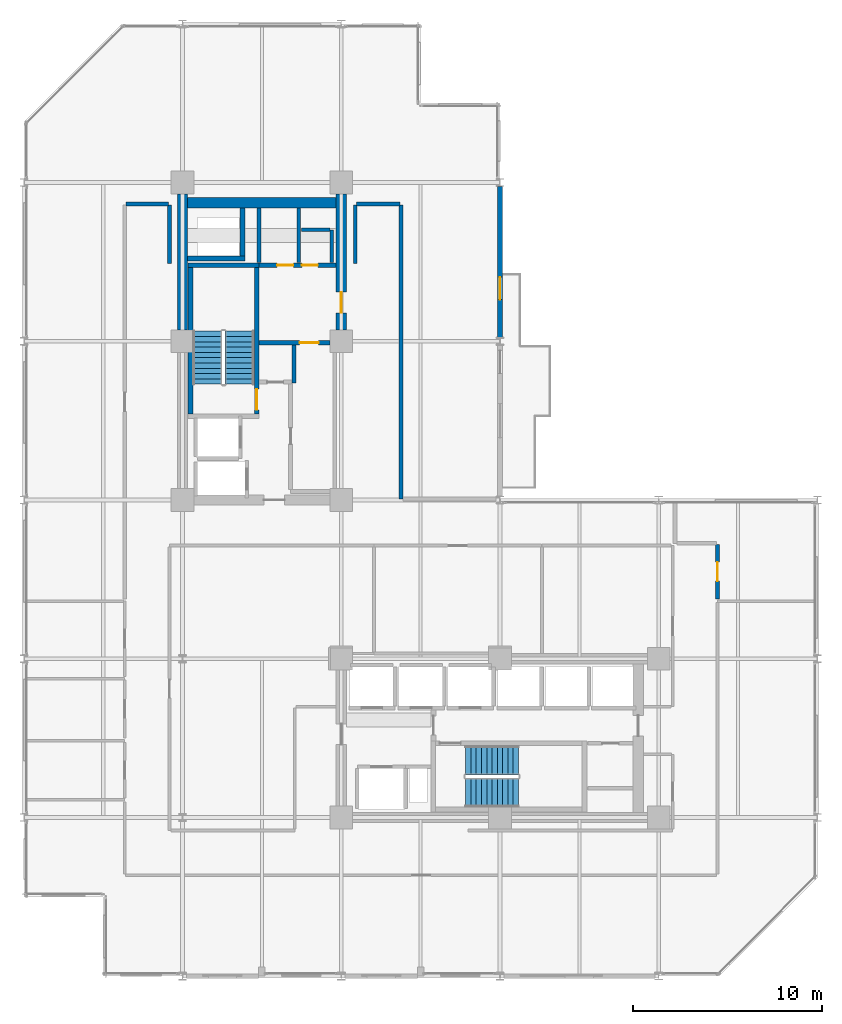
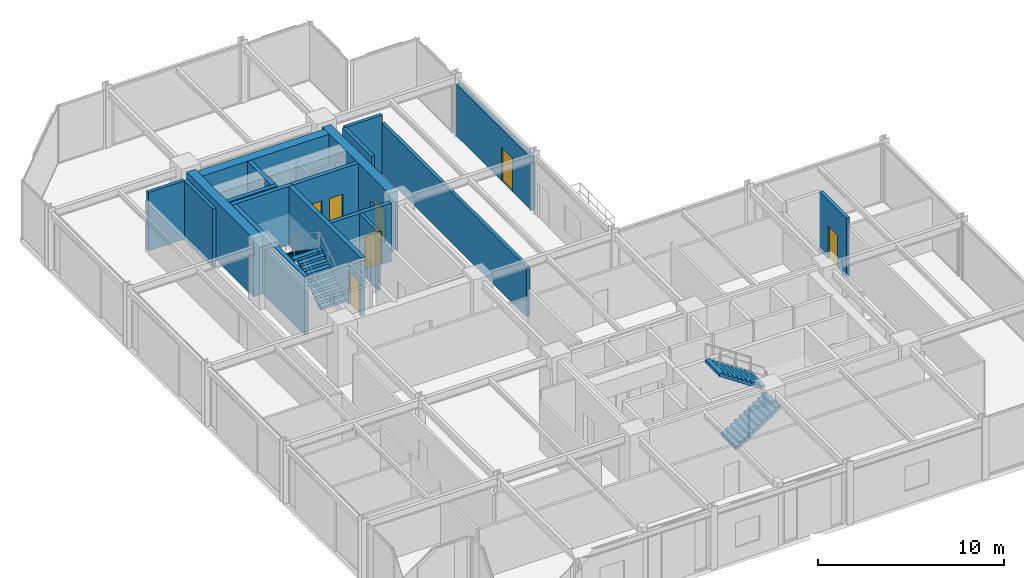
# One storey, part 26 of 29: 22 walls, 7 doors, 4 stair flights, 7 openings, 2 elements without a shape of their own.
"""IFC4 building model written with IfcOpenShell, lengths in metres."""

from ifc_helpers import new_model, si_unit, direction, frame, frame_2d, origin, place, context, subcontext, project, spatial, polyline, rectangle, outline, extrude, material, layer, layer_set, type_object, element, fill, aggregate, save


model = new_model("IFC4")

# Units and contexts
model_context = context("Model", 3, precision=1e-05, world=origin(), true_north=direction((0.0, 1.0)))
body_context = subcontext(model_context, "Body", "Model", "MODEL_VIEW")
ifc_project = project(units=[si_unit("LENGTHUNIT", "METRE"), si_unit("AREAUNIT", "SQUARE_METRE"), si_unit("VOLUMEUNIT", "CUBIC_METRE"), si_unit("PLANEANGLEUNIT", "RADIAN"), si_unit("MASSUNIT", "GRAM", prefix="KILO")], contexts=[model_context])

# Site, building, storey
site_placement = place(None, origin())
site = spatial("IfcSite", under=ifc_project, at=site_placement, CompositionType="ELEMENT")
building_placement = place(site_placement, origin())
building = spatial("IfcBuilding", under=site, at=building_placement, Name="Nerrivon Quay Data Exchange", CompositionType="ELEMENT")
storey_placement = place(building_placement, frame((0.0, 0.0, 150.0)))
storey = spatial("IfcBuildingStorey", under=building, at=storey_placement, Name="L35", CompositionType="ELEMENT", Elevation=150.0)

# Wall, opening, door
ifc_material_1 = material(Name="Architectural terracotta precast concrete N50 (50 MPa)", Category="masonry")
ifc_layer_1 = layer(ifc_material_1, 0.239990234375)
ifc_layer_set_1 = layer_set([ifc_layer_1], Name="Architectural terracotta precast concrete N50 (50 MPa)")
wall_type_1 = type_object("IfcWallType", Name="EW-PREC-240", PredefinedType="STANDARD", material=ifc_layer_set_1)
wall_1_placement = place(storey_placement, frame((25.199951171875, 41.800048828125, 0.0), z_axis=(0.0, 0.0, 1.0), x_axis=(0.0, -1.0, 0.0)))
wall_1 = element("IfcWall", 1, at=wall_1_placement, inside=storey, type_object=wall_type_1, Name="L35 Terrace Host Wall 24", PredefinedType="STANDARD", context=body_context, shape_type="SweptSolid", body=[
    extrude(rectangle(XDim=8.0, YDim=0.239990234375, at=frame_2d((4.0, 0.0))), origin(), (0.0, 0.0, 1.0), 3.422119140625),
])
opening_1_placement = place(wall_1_placement, frame((4.800048828125, 0.0, 0.0)))
opening_1 = element("IfcOpeningElement", 2, at=opening_1_placement, cuts=wall_1, Name="Opening TD1", PredefinedType="OPENING", context=body_context, shape_type="SweptSolid", body=[
    extrude(rectangle(XDim=1.199951171875, YDim=2.199951171875, at=frame_2d((0.60009765625, 1.10009765625))), frame((0.0, 0.1298828125, 0.0), z_axis=(0.0, -1.0, 0.0), x_axis=(1.0, 0.0, 0.0)), (0.0, 0.0, 1.0), 0.260009765625),
])
ifc_material_2 = material(Name="Double-glazed low-E solar control glass", Category="glass")
door_type_1 = type_object("IfcDoorType", Name="DR-TERR-1200x2200", OperationType="NOTDEFINED", PredefinedType="DOOR", material=ifc_material_2)
door_1_placement = place(opening_1_placement, origin())
door_1 = element("IfcDoor", 3, at=door_1_placement, inside=storey, type_object=door_type_1, Name="L35 Outdoor Terrace Access Door 24", OperationType="SINGLE_SWING_LEFT", OverallHeight=2.199951171875, OverallWidth=1.199951171875, PredefinedType="DOOR", context=body_context, shape_type="SweptSolid", body=[
    extrude(rectangle(XDim=1.199951171875, YDim=2.199951171875, at=frame_2d((0.60009765625, 1.10009765625))), frame((0.0, 0.02490234375, 0.0), z_axis=(0.0, -1.0, 0.0), x_axis=(1.0, 0.0, 0.0)), (0.0, 0.0, 1.0), 0.050048828125),
])
fill(opening_1, door_1)

# Walls
ifc_material_3 = material(Name="Concrete S65 (65 MPa)", Category="concrete")
ifc_layer_2 = layer(ifc_material_3, 0.550048828125)
ifc_layer_set_2 = layer_set([ifc_layer_2], Name="Concrete S65 (65 MPa)")
wall_type_2 = type_object("IfcWallType", Name="WALL-CW-700", PredefinedType="SHEAR", material=ifc_layer_set_2)
wall_2_placement = place(storey_placement, frame((8.39990234375, 34.199951171875, 0.0), z_axis=(0.0, 0.0, 1.0), x_axis=(0.0, 1.0, 0.0)))
element("IfcWall", 4, at=wall_2_placement, inside=storey, type_object=wall_type_2, Name="L35 West Split-Core Shear Wall WCW-W2", PredefinedType="SHEAR", context=body_context, shape_type="SweptSolid", body=[
    extrude(rectangle(XDim=7.199951171875, YDim=0.550048828125, at=frame_2d((3.60009765625, 0.0))), origin(), (0.0, 0.0, 1.0), 3.824951171875),
])
wall_3_placement = place(storey_placement, frame((8.675048828125, 40.925048828125, 0.0), z_axis=(0.0, 0.0, 1.0), x_axis=(1.0, 0.0, 0.0)))
element("IfcWall", 5, at=wall_3_placement, inside=storey, type_object=wall_type_2, Name="L35 West Split-Core Shear Wall WCW-N1", PredefinedType="SHEAR", context=body_context, shape_type="SweptSolid", body=[
    extrude(rectangle(XDim=7.849853515625, YDim=0.550048828125, at=frame_2d((3.9248046875, 0.0))), origin(), (0.0, 0.0, 1.0), 3.824951171875),
])

# Wall, opening, door
wall_4_placement = place(storey_placement, frame((16.800048828125, 34.199951171875, 0.0), z_axis=(0.0, 0.0, 1.0), x_axis=(0.0, 1.0, 0.0)))
wall_4 = element("IfcWall", 6, at=wall_4_placement, inside=storey, type_object=wall_type_2, Name="L35 West Split-Core Shear Wall WCW-E1", PredefinedType="SHEAR", context=body_context, shape_type="SweptSolid", body=[
    extrude(rectangle(XDim=7.199951171875, YDim=0.550048828125, at=frame_2d((3.60009765625, 0.0))), origin(), (0.0, 0.0, 1.0), 3.824951171875),
])
opening_2_placement = place(wall_4_placement, frame((0.89990234375, 0.0, 0.0)))
opening_2 = element("IfcOpeningElement", 7, at=opening_2_placement, cuts=wall_4, Name="Opening FD-120", PredefinedType="OPENING", context=body_context, shape_type="SweptSolid", body=[
    extrude(rectangle(XDim=1.10009765625, YDim=2.14990234375, at=frame_2d((0.550048828125, 1.074951171875))), frame((0.0, 0.284912109375, 0.0), z_axis=(0.0, -1.0, 0.0), x_axis=(1.0, 0.0, 0.0)), (0.0, 0.0, 1.0), 0.570068359375),
])
ifc_material_4 = material(Name="Powder-coated galvanized steel sheet", Category="steel")
door_type_2 = type_object("IfcDoorType", Name="DR-FD120-1100", OperationType="NOTDEFINED", PredefinedType="DOOR", material=ifc_material_4)
door_2_placement = place(opening_2_placement, origin())
door_2 = element("IfcDoor", 8, at=door_2_placement, inside=storey, type_object=door_type_2, Name="L35 West Core Lobby Fire Door", OperationType="SINGLE_SWING_LEFT", OverallHeight=2.14990234375, OverallWidth=1.10009765625, PredefinedType="DOOR", context=body_context, shape_type="SweptSolid", body=[
    extrude(rectangle(XDim=1.10009765625, YDim=2.14990234375, at=frame_2d((0.550048828125, 1.074951171875))), frame((0.0, 0.02490234375, 0.0), z_axis=(0.0, -1.0, 0.0), x_axis=(1.0, 0.0, 0.0)), (0.0, 0.0, 1.0), 0.050048828125),
])
fill(opening_2, door_2)

# Walls
ifc_material_5 = material(Name="Gypsum plasterboard on cold-formed framing", Category="gypsum")
ifc_layer_3 = layer(ifc_material_5, 0.199951171875)
ifc_layer_set_3 = layer_set([ifc_layer_3], Name="Gypsum plasterboard on cold-formed framing")
wall_type_3 = type_object("IfcWallType", Name="WALL-FW-200", PredefinedType="PARTITIONING", material=ifc_layer_set_3)
wall_5_placement = place(storey_placement, frame((14.300048828125, 33.39111328125, 0.0), z_axis=(0.0, 0.0, 1.0), x_axis=(0.0, -1.0, 0.0)))
element("IfcWall", 9, at=wall_5_placement, inside=storey, type_object=wall_type_3, Name="L35 Partition Core Equipment Store", PredefinedType="PARTITIONING", context=body_context, shape_type="SweptSolid", body=[
    extrude(rectangle(XDim=1.9912109375, YDim=0.199951171875, at=frame_2d((0.99560546875, 0.0))), origin(), (0.0, 0.0, 1.0), 3.824951171875),
])
for number, where, z_axis, x_axis, name in (
    (10, (14.550048828125, 37.780029296875, 0.0), (0.0, 0.0, 1.0), (0.0, 1.0, 0.0), "L35 Partition Electrical Switchboard Closet"),
    (11, (12.449951171875, 40.64599609375, 0.0), (0.0, 0.0, 1.0), (0.0, -1.0, 0.0), "L35 Partition Electrical Switchboard Closet"),
):
    element("IfcWall", number, at=place(storey_placement, frame(where, z_axis=z_axis, x_axis=x_axis)), inside=storey, type_object=wall_type_3, Name=name, PredefinedType="PARTITIONING", context=body_context, shape_type="SweptSolid", body=[
        extrude(rectangle(XDim=2.865966796875, YDim=0.199951171875, at=frame_2d((1.43310546875, 0.0))), origin(), (0.0, 0.0, 1.0), 2.72509765625),
    ])
wall_6_placement = place(storey_placement, frame((16.300048828125, 37.780029296875, 0.0), z_axis=(0.0, 0.0, 1.0), x_axis=(0.0, 1.0, 0.0)))
element("IfcWall", 12, at=wall_6_placement, inside=storey, type_object=wall_type_3, Name="L35 Partition Janitor Closet", PredefinedType="PARTITIONING", context=body_context, shape_type="SweptSolid", body=[
    extrude(rectangle(XDim=1.719970703125, YDim=0.199951171875, at=frame_2d((0.85986328125, 0.0))), origin(), (0.0, 0.0, 1.0), 2.72509765625),
])
wall_7_placement = place(storey_placement, frame((16.196044921875, 39.5, 0.0), z_axis=(0.0, 0.0, 1.0), x_axis=(-1.0, 0.0, 0.0)))
element("IfcWall", 13, at=wall_7_placement, inside=storey, type_object=wall_type_3, Name="L35 Partition Janitor Closet", PredefinedType="PARTITIONING", context=body_context, shape_type="SweptSolid", body=[
    extrude(rectangle(XDim=1.506103515625, YDim=0.199951171875, at=frame_2d((0.7529296875, 0.0))), origin(), (0.0, 0.0, 1.0), 2.72509765625),
])

# Wall, opening, door
wall_8_placement = place(storey_placement, frame((36.7099609375, 22.85009765625, 0.0), z_axis=(0.0, 0.0, 1.0), x_axis=(0.0, -1.0, 0.0)))
wall_8 = element("IfcWall", 14, at=wall_8_placement, inside=storey, type_object=wall_type_3, Name="L35 Partition Colocation Data Workspace 1", PredefinedType="PARTITIONING", context=body_context, shape_type="SweptSolid", body=[
    extrude(rectangle(XDim=2.886962890625, YDim=0.199951171875, at=frame_2d((1.443359375, 0.0))), origin(), (0.0, 0.0, 1.0), 3.824951171875),
])
opening_3_placement = place(wall_8_placement, frame((0.943359375, 0.0, 0.0)))
opening_3 = element("IfcOpeningElement", 15, at=opening_3_placement, cuts=wall_8, Name="Opening FD-60", PredefinedType="OPENING", context=body_context, shape_type="SweptSolid", body=[
    extrude(rectangle(XDim=1.0, YDim=2.14990234375, at=frame_2d((0.5, 1.074951171875))), frame((0.0, 0.10986328125, 0.0), z_axis=(0.0, -1.0, 0.0), x_axis=(1.0, 0.0, 0.0)), (0.0, 0.0, 1.0), 0.219970703125),
])
ifc_material_6 = material(Name="Engineered hardwood timber", Category="wood")
door_type_3 = type_object("IfcDoorType", Name="DR-FD60-1000", OperationType="NOTDEFINED", PredefinedType="DOOR", material=ifc_material_6)
door_3_placement = place(opening_3_placement, origin())
door_3 = element("IfcDoor", 16, at=door_3_placement, inside=storey, type_object=door_type_3, Name="L35 Door Colocation Data Workspace 1", OperationType="SINGLE_SWING_RIGHT", OverallHeight=2.14990234375, OverallWidth=1.0, PredefinedType="DOOR", context=body_context, shape_type="SweptSolid", body=[
    extrude(rectangle(XDim=1.0, YDim=2.14990234375, at=frame_2d((0.5, 1.074951171875))), frame((0.0, 0.02490234375, 0.0), z_axis=(0.0, -1.0, 0.0), x_axis=(1.0, 0.0, 0.0)), (0.0, 0.0, 1.0), 0.050048828125),
])
fill(opening_3, door_3)

# Walls
wall_9_placement = place(storey_placement, frame((5.39990234375, 40.860107421875, 0.0), z_axis=(0.0, 0.0, 1.0), x_axis=(1.0, 0.0, 0.0)))
element("IfcWall", 17, at=wall_9_placement, inside=storey, type_object=wall_type_3, Name="L35 Partition Colocation Data Workspace 1", PredefinedType="PARTITIONING", context=body_context, shape_type="SweptSolid", body=[
    extrude(rectangle(XDim=2.25, YDim=0.199951171875, at=frame_2d((1.125, 0.0))), origin(), (0.0, 0.0, 1.0), 3.824951171875),
])
for number, where, z_axis, x_axis, name in (
    (18, (7.7099609375, 40.800048828125, 0.0), (0.0, 0.0, 1.0), (0.0, -1.0, 0.0), "L35 Partition Colocation Data Workspace 1"),
    (19, (17.5400390625, 37.7099609375, 0.0), (0.0, 0.0, 1.0), (0.0, 1.0, 0.0), "L35 Partition Colocation Data Workspace 1"),
):
    element("IfcWall", number, at=place(storey_placement, frame(where, z_axis=z_axis, x_axis=x_axis)), inside=storey, type_object=wall_type_3, Name=name, PredefinedType="PARTITIONING", context=body_context, shape_type="SweptSolid", body=[
        extrude(rectangle(XDim=3.090087890625, YDim=0.199951171875, at=frame_2d((1.544921875, 0.0))), origin(), (0.0, 0.0, 1.0), 3.824951171875),
    ])
wall_10_placement = place(storey_placement, frame((17.60009765625, 40.860107421875, 0.0), z_axis=(0.0, 0.0, 1.0), x_axis=(1.0, 0.0, 0.0)))
element("IfcWall", 20, at=wall_10_placement, inside=storey, type_object=wall_type_3, Name="L35 Partition Colocation Data Workspace 1", PredefinedType="PARTITIONING", context=body_context, shape_type="SweptSolid", body=[
    extrude(rectangle(XDim=2.2998046875, YDim=0.199951171875, at=frame_2d((1.14990234375, 0.0))), origin(), (0.0, 0.0, 1.0), 3.824951171875),
])
wall_11_placement = place(storey_placement, frame((19.9599609375, 40.800048828125, 0.0), z_axis=(0.0, 0.0, 1.0), x_axis=(0.0, -1.0, 0.0)))
element("IfcWall", 21, at=wall_11_placement, inside=storey, type_object=wall_type_3, Name="L35 Partition Colocation Data Workspace 1", PredefinedType="PARTITIONING", context=body_context, shape_type="SweptSolid", body=[
    extrude(rectangle(XDim=15.5400390625, YDim=0.199951171875, at=frame_2d((7.77001953125, 0.0))), origin(), (0.0, 0.0, 1.0), 3.2919921875),
])
ifc_material_7 = material(Name="Concrete N50 (50 MPa)", Category="concrete")
ifc_layer_4 = layer(ifc_material_7, 0.25)
ifc_layer_set_4 = layer_set([ifc_layer_4], Name="Concrete N50 (50 MPa)")
wall_type_4 = type_object("IfcWallType", Name="WALL-SW-250", PredefinedType="SHEAR", material=ifc_layer_set_4)
wall_12_placement = place(storey_placement, frame((12.449951171875, 37.625, 0.0), z_axis=(0.0, 0.0, 1.0), x_axis=(-1.0, 0.0, 0.0)))
element("IfcWall", 22, at=wall_12_placement, inside=storey, type_object=wall_type_4, Name="L35 ST01 Structural Stair Core Wall FAR", PredefinedType="SHEAR", context=body_context, shape_type="SweptSolid", body=[
    extrude(rectangle(XDim=3.75, YDim=0.25, at=frame_2d((1.875, 0.0))), origin(), (0.0, 0.0, 1.0), 3.824951171875),
])

# Wall, opening, door
wall_13_placement = place(storey_placement, frame((12.324951171875, 29.75, 0.0), z_axis=(0.0, 0.0, 1.0), x_axis=(0.0, 1.0, 0.0)))
wall_13 = element("IfcWall", 23, at=wall_13_placement, inside=storey, type_object=wall_type_4, Name="L35 ST01 Structural Stair Core Wall LEFT", PredefinedType="SHEAR", context=body_context, shape_type="SweptSolid", body=[
    extrude(rectangle(XDim=7.75, YDim=0.25, at=frame_2d((3.875, 0.0))), origin(), (0.0, 0.0, 1.0), 3.824951171875),
])
opening_4_placement = place(wall_13_placement, frame((0.219970703125, 0.0, 0.0)))
opening_4 = element("IfcOpeningElement", 24, at=opening_4_placement, cuts=wall_13, Name="Opening FD-120", PredefinedType="OPENING", context=body_context, shape_type="SweptSolid", body=[
    extrude(rectangle(XDim=1.10009765625, YDim=2.14990234375, at=frame_2d((0.550048828125, 1.074951171875))), frame((0.0, 0.135009765625, 0.0), z_axis=(0.0, -1.0, 0.0), x_axis=(1.0, 0.0, 0.0)), (0.0, 0.0, 1.0), 0.27001953125),
])
door_4_placement = place(opening_4_placement, origin())
door_4 = element("IfcDoor", 25, at=door_4_placement, inside=storey, type_object=door_type_2, Name="L35 Protected Stair Door ST01", OperationType="SINGLE_SWING_LEFT", OverallHeight=2.14990234375, OverallWidth=1.10009765625, PredefinedType="DOOR", context=body_context, shape_type="SweptSolid", body=[
    extrude(rectangle(XDim=1.10009765625, YDim=2.14990234375, at=frame_2d((0.550048828125, 1.074951171875))), frame((0.0, 0.02490234375, 0.0), z_axis=(0.0, -1.0, 0.0), x_axis=(1.0, 0.0, 0.0)), (0.0, 0.0, 1.0), 0.050048828125),
])
fill(opening_4, door_4)

# Walls
wall_14_placement = place(storey_placement, frame((8.824951171875, 29.75, 0.0), z_axis=(0.0, 0.0, 1.0), x_axis=(0.0, 1.0, 0.0)))
element("IfcWall", 26, at=wall_14_placement, inside=storey, type_object=wall_type_4, Name="L35 ST01 Structural Stair Core Wall RIGHT", PredefinedType="SHEAR", context=body_context, shape_type="SweptSolid", body=[
    extrude(rectangle(XDim=7.75, YDim=0.25, at=frame_2d((3.875, 0.0))), origin(), (0.0, 0.0, 1.0), 3.824951171875),
])
wall_15_placement = place(storey_placement, frame((8.675048828125, 37.97509765625, 0.0), z_axis=(0.0, 0.0, 1.0), x_axis=(1.0, 0.0, 0.0)))
element("IfcWall", 27, at=wall_15_placement, inside=storey, type_object=wall_type_4, Name="L35 West Core MEP Riser Shaft Wall S", PredefinedType="SHEAR", context=body_context, shape_type="SweptSolid", body=[
    extrude(rectangle(XDim=3.02490234375, YDim=0.25, at=frame_2d((1.512451171875, 0.0))), origin(), (0.0, 0.0, 1.0), 3.824951171875),
])
wall_16_placement = place(storey_placement, frame((11.574951171875, 38.10009765625, 0.0), z_axis=(0.0, 0.0, 1.0), x_axis=(0.0, 1.0, 0.0)))
element("IfcWall", 28, at=wall_16_placement, inside=storey, type_object=wall_type_4, Name="L35 West Core MEP Riser Shaft Wall E", PredefinedType="SHEAR", context=body_context, shape_type="SweptSolid", body=[
    extrude(rectangle(XDim=2.5498046875, YDim=0.25, at=frame_2d((1.27490234375, 0.0))), origin(), (0.0, 0.0, 1.0), 3.824951171875),
])

# Wall, opening, door
wall_17_placement = place(storey_placement, frame((12.449951171875, 33.52001953125, 0.0), z_axis=(0.0, 0.0, 1.0), x_axis=(1.0, 0.0, 0.0)))
wall_17 = element("IfcWall", 29, at=wall_17_placement, inside=storey, type_object=wall_type_4, Name="L35 West Lobby Smoke-Stop Wall", PredefinedType="SHEAR", context=body_context, shape_type="SweptSolid", body=[
    extrude(rectangle(XDim=3.75, YDim=0.25, at=frame_2d((1.875, 0.0))), origin(), (0.0, 0.0, 1.0), 3.824951171875),
])
opening_5_placement = place(wall_17_placement, frame((2.14990234375, 0.0, 0.0)))
opening_5 = element("IfcOpeningElement", 30, at=opening_5_placement, cuts=wall_17, Name="Opening FD-60", PredefinedType="OPENING", context=body_context, shape_type="SweptSolid", body=[
    extrude(rectangle(XDim=1.0, YDim=2.14990234375, at=frame_2d((0.5, 1.074951171875))), frame((0.0, 0.135009765625, 0.0), z_axis=(0.0, -1.0, 0.0), x_axis=(1.0, 0.0, 0.0)), (0.0, 0.0, 1.0), 0.27001953125),
])
door_5_placement = place(opening_5_placement, origin())
door_5 = element("IfcDoor", 31, at=door_5_placement, inside=storey, type_object=door_type_3, Name="L35 West Firefighting Lobby Fire Door", OperationType="SINGLE_SWING_LEFT", OverallHeight=2.14990234375, OverallWidth=1.0, PredefinedType="DOOR", context=body_context, shape_type="SweptSolid", body=[
    extrude(rectangle(XDim=1.0, YDim=2.14990234375, at=frame_2d((0.5, 1.074951171875))), frame((0.0, 0.02490234375, 0.0), z_axis=(0.0, -1.0, 0.0), x_axis=(1.0, 0.0, 0.0)), (0.0, 0.0, 1.0), 0.050048828125),
])
fill(opening_5, door_5)

# Wall, openings, doors
wall_18_placement = place(storey_placement, frame((12.449951171875, 37.625, 0.0), z_axis=(0.0, 0.0, 1.0), x_axis=(1.0, 0.0, 0.0)))
wall_18 = element("IfcWall", 32, at=wall_18_placement, inside=storey, type_object=wall_type_4, Name="L35 West Firefighting Lobby Wall", PredefinedType="SHEAR", context=body_context, shape_type="SweptSolid", body=[
    extrude(rectangle(XDim=4.074951171875, YDim=0.25, at=frame_2d((2.03759765625, 0.0))), origin(), (0.0, 0.0, 1.0), 3.824951171875),
])
opening_6_placement = place(wall_18_placement, frame((0.96044921875, 0.0, 0.0)))
opening_6 = element("IfcOpeningElement", 33, at=opening_6_placement, cuts=wall_18, Name="Opening FD-60S", PredefinedType="OPENING", context=body_context, shape_type="SweptSolid", body=[
    extrude(rectangle(XDim=0.85009765625, YDim=2.14990234375, at=frame_2d((0.425048828125, 1.074951171875))), frame((0.0, 0.135009765625, 0.0), z_axis=(0.0, -1.0, 0.0), x_axis=(1.0, 0.0, 0.0)), (0.0, 0.0, 1.0), 0.27001953125),
])
opening_7_placement = place(wall_18_placement, frame((2.264404296875, 0.0, 0.0)))
opening_7 = element("IfcOpeningElement", 34, at=opening_7_placement, cuts=wall_18, Name="Opening FD-60S", PredefinedType="OPENING", context=body_context, shape_type="SweptSolid", body=[
    extrude(rectangle(XDim=0.85009765625, YDim=2.14990234375, at=frame_2d((0.425048828125, 1.074951171875))), frame((0.0, 0.135009765625, 0.0), z_axis=(0.0, -1.0, 0.0), x_axis=(1.0, 0.0, 0.0)), (0.0, 0.0, 1.0), 0.27001953125),
])
door_type_4 = type_object("IfcDoorType", Name="DR-FD60-850", OperationType="NOTDEFINED", PredefinedType="DOOR", material=ifc_material_6)
door_6_placement = place(opening_6_placement, origin())
door_6 = element("IfcDoor", 35, at=door_6_placement, inside=storey, type_object=door_type_4, Name="L35 Door Electrical Switchboard Closet", OperationType="SINGLE_SWING_LEFT", OverallHeight=2.14990234375, OverallWidth=0.85009765625, PredefinedType="DOOR", context=body_context, shape_type="SweptSolid", body=[
    extrude(rectangle(XDim=0.85009765625, YDim=2.14990234375, at=frame_2d((0.425048828125, 1.074951171875))), frame((0.0, 0.02490234375, 0.0), z_axis=(0.0, -1.0, 0.0), x_axis=(1.0, 0.0, 0.0)), (0.0, 0.0, 1.0), 0.050048828125),
])
fill(opening_6, door_6)
door_7_placement = place(opening_7_placement, origin())
door_7 = element("IfcDoor", 36, at=door_7_placement, inside=storey, type_object=door_type_4, Name="L35 Door Janitor Closet", OperationType="SINGLE_SWING_RIGHT", OverallHeight=2.14990234375, OverallWidth=0.85009765625, PredefinedType="DOOR", context=body_context, shape_type="SweptSolid", body=[
    extrude(rectangle(XDim=0.85009765625, YDim=2.14990234375, at=frame_2d((0.425048828125, 1.074951171875))), frame((0.0, 0.02490234375, 0.0), z_axis=(0.0, -1.0, 0.0), x_axis=(1.0, 0.0, 0.0)), (0.0, 0.0, 1.0), 0.050048828125),
])
fill(opening_7, door_7)

# Stair, stair flights
stair_type = type_object("IfcStairType", Name="STAIR-DOG-41", PredefinedType="HALF_TURN_STAIR", material=ifc_material_7)
stair_1_placement = place(storey_placement, origin())
stair_1 = element("IfcStair", 37, at=stair_1_placement, inside=storey, type_object=stair_type, Name="L35 West Core Fire Stair ST01", PredefinedType="HALF_TURN_STAIR")
stair_flight_type = type_object("IfcStairFlightType", Name="FLIGHT-DOG-41", PredefinedType="STRAIGHT", material=ifc_material_7)
stair_flight_1_placement = place(storey_placement, frame((11.425048828125, 31.330078125, 0.0), z_axis=(0.0, 0.0, 1.0), x_axis=(0.0, 1.0, 0.0)))
stair_flight_1 = element("IfcStairFlight", 38, at=stair_flight_1_placement, type_object=stair_flight_type, Name="ST01 flight 1", NumberOfRisers=11, NumberOfTreads=10, PredefinedType="STRAIGHT", RiserHeight=0.186363636, TreadLength=0.28, context=body_context, shape_type="SweptSolid", body=[
    extrude(outline(polyline([(0.0, 0.0), (0.0, 0.186279296875), (0.280029296875, 0.186279296875), (0.280029296875, 0.372802734375), (0.56005859375, 0.372802734375), (0.56005859375, 0.55908203125), (0.840087890625, 0.55908203125), (0.840087890625, 0.745361328125), (1.1201171875, 0.745361328125), (1.1201171875, 0.931884765625), (1.39990234375, 0.931884765625), (1.39990234375, 1.1181640625), (1.679931640625, 1.1181640625), (1.679931640625, 1.304443359375), (1.9599609375, 1.304443359375), (1.9599609375, 1.490966796875), (2.239990234375, 1.490966796875), (2.239990234375, 1.67724609375), (2.52001953125, 1.67724609375), (2.52001953125, 1.863525390625), (2.800048828125, 1.863525390625), (2.800048828125, 2.050048828125), (2.800048828125, 1.68359375), (0.2705078125, 0.0), (0.0, 0.0)])), frame((0.0, 0.77490234375, 0.0), z_axis=(0.0, -1.0, 0.0), x_axis=(1.0, 0.0, 0.0)), (0.0, 0.0, 1.0), 1.550048828125),
])
stair_flight_2_placement = place(storey_placement, frame((9.72509765625, 34.1298828125, 2.050048828125), z_axis=(0.0, 0.0, 1.0), x_axis=(0.0, -1.0, 0.0)))
stair_flight_2 = element("IfcStairFlight", 39, at=stair_flight_2_placement, type_object=stair_flight_type, Name="ST01 flight 2", NumberOfRisers=11, NumberOfTreads=10, PredefinedType="STRAIGHT", RiserHeight=0.186363636, TreadLength=0.28, context=body_context, shape_type="SweptSolid", body=[
    extrude(outline(polyline([(0.0, 0.0), (0.0, 0.186279296875), (0.280029296875, 0.186279296875), (0.280029296875, 0.372802734375), (0.56005859375, 0.372802734375), (0.56005859375, 0.55908203125), (0.840087890625, 0.55908203125), (0.840087890625, 0.745361328125), (1.1201171875, 0.745361328125), (1.1201171875, 0.931884765625), (1.39990234375, 0.931884765625), (1.39990234375, 1.1181640625), (1.679931640625, 1.1181640625), (1.679931640625, 1.304443359375), (1.9599609375, 1.304443359375), (1.9599609375, 1.490966796875), (2.239990234375, 1.490966796875), (2.239990234375, 1.67724609375), (2.52001953125, 1.67724609375), (2.52001953125, 1.863525390625), (2.800048828125, 1.863525390625), (2.800048828125, 2.050048828125), (2.800048828125, 1.68359375), (0.2705078125, 0.0), (0.0, 0.0)])), frame((0.0, 0.77490234375, 0.0), z_axis=(0.0, -1.0, 0.0), x_axis=(1.0, 0.0, 0.0)), (0.0, 0.0, 1.0), 1.550048828125),
])
aggregate(stair_1, [stair_flight_1, stair_flight_2])

stair_2_placement = place(storey_placement, origin())
stair_2 = element("IfcStair", 40, at=stair_2_placement, inside=storey, type_object=stair_type, Name="L35 East Core Fire Stair ST02", PredefinedType="HALF_TURN_STAIR")
stair_flight_3_placement = place(storey_placement, frame((23.3798828125, 9.72509765625, 0.0), z_axis=(0.0, 0.0, 1.0), x_axis=(1.0, 0.0, 0.0)))
stair_flight_3 = element("IfcStairFlight", 41, at=stair_flight_3_placement, type_object=stair_flight_type, Name="ST02 flight 1", NumberOfRisers=11, NumberOfTreads=10, PredefinedType="STRAIGHT", RiserHeight=0.186363636, TreadLength=0.28, context=body_context, shape_type="SweptSolid", body=[
    extrude(outline(polyline([(0.0, 0.0), (0.0, 0.186279296875), (0.280029296875, 0.186279296875), (0.280029296875, 0.372802734375), (0.56005859375, 0.372802734375), (0.56005859375, 0.55908203125), (0.840087890625, 0.55908203125), (0.840087890625, 0.745361328125), (1.1201171875, 0.745361328125), (1.1201171875, 0.931884765625), (1.39990234375, 0.931884765625), (1.39990234375, 1.1181640625), (1.679931640625, 1.1181640625), (1.679931640625, 1.304443359375), (1.9599609375, 1.304443359375), (1.9599609375, 1.490966796875), (2.239990234375, 1.490966796875), (2.239990234375, 1.67724609375), (2.52001953125, 1.67724609375), (2.52001953125, 1.863525390625), (2.800048828125, 1.863525390625), (2.800048828125, 2.050048828125), (2.800048828125, 1.68359375), (0.2705078125, 0.0), (0.0, 0.0)])), frame((0.0, 0.77490234375, 0.0), z_axis=(0.0, -1.0, 0.0), x_axis=(1.0, 0.0, 0.0)), (0.0, 0.0, 1.0), 1.550048828125),
])
stair_flight_4_placement = place(storey_placement, frame((26.179931640625, 11.425048828125, 2.050048828125), z_axis=(0.0, 0.0, 1.0), x_axis=(-1.0, 0.0, 0.0)))
stair_flight_4 = element("IfcStairFlight", 42, at=stair_flight_4_placement, type_object=stair_flight_type, Name="ST02 flight 2", NumberOfRisers=11, NumberOfTreads=10, PredefinedType="STRAIGHT", RiserHeight=0.186363636, TreadLength=0.28, context=body_context, shape_type="SweptSolid", body=[
    extrude(outline(polyline([(0.0, 0.0), (0.0, 0.186279296875), (0.280029296875, 0.186279296875), (0.280029296875, 0.372802734375), (0.56005859375, 0.372802734375), (0.56005859375, 0.55908203125), (0.840087890625, 0.55908203125), (0.840087890625, 0.745361328125), (1.1201171875, 0.745361328125), (1.1201171875, 0.931884765625), (1.39990234375, 0.931884765625), (1.39990234375, 1.1181640625), (1.679931640625, 1.1181640625), (1.679931640625, 1.304443359375), (1.9599609375, 1.304443359375), (1.9599609375, 1.490966796875), (2.239990234375, 1.490966796875), (2.239990234375, 1.67724609375), (2.52001953125, 1.67724609375), (2.52001953125, 1.863525390625), (2.800048828125, 1.863525390625), (2.800048828125, 2.050048828125), (2.800048828125, 1.68359375), (0.2705078125, 0.0), (0.0, 0.0)])), frame((0.0, 0.77490234375, 0.0), z_axis=(0.0, -1.0, 0.0), x_axis=(1.0, 0.0, 0.0)), (0.0, 0.0, 1.0), 1.550048828125),
])
aggregate(stair_2, [stair_flight_3, stair_flight_4])

save(model, "model.ifc")
